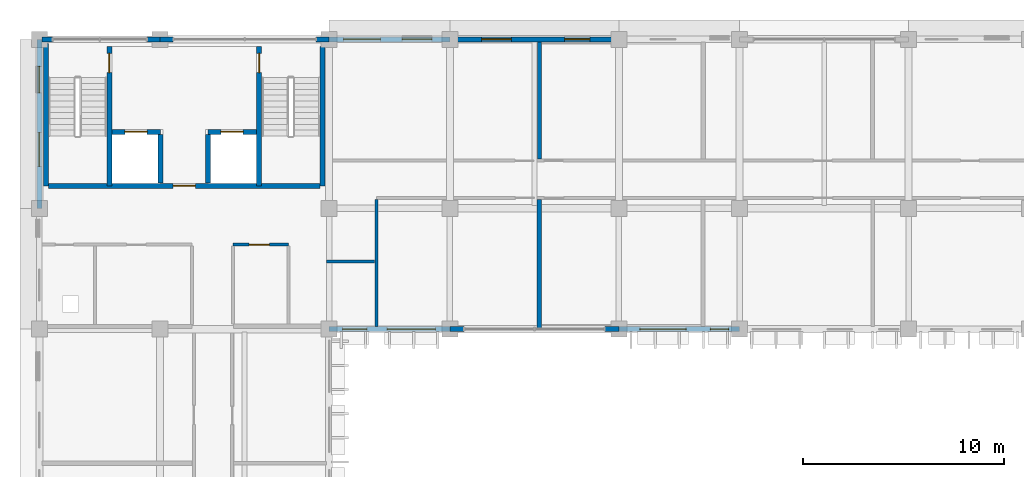
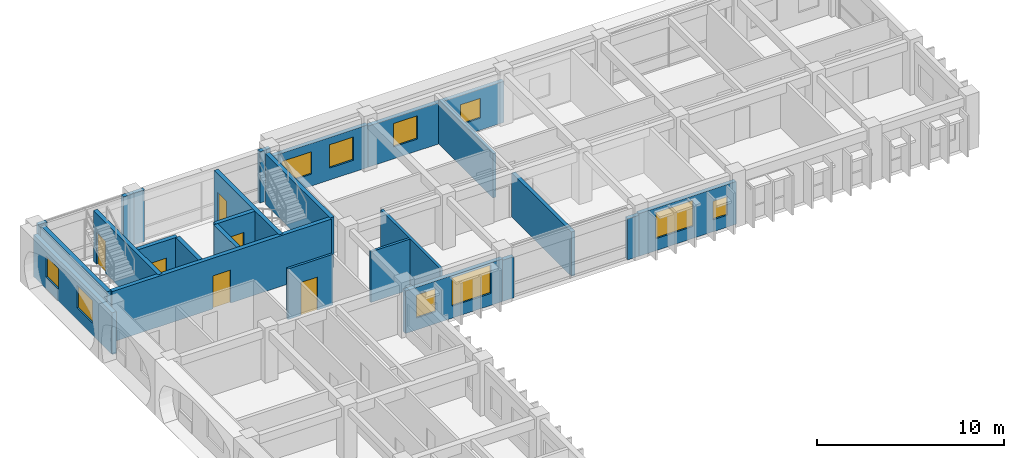
# One storey, part 56 of 88: 25 walls, 10 windows, 6 doors, 16 openings.
"""IFC4 building model written with IfcOpenShell, lengths in metres."""

import ifcopenshell
import ifcopenshell.guid

model = None  # the IFC model being written
_history = None  # IfcOwnerHistory: only IFC2X3 demands one
_inside = {}  # id of a spatial element -> (the spatial element, [elements in it])
_under = {}  # id of a project, library or spatial element -> (it, [spatial elements below it])
_declared = {}  # id of a project -> (the project, [libraries it declares])
_typed = {}  # id of a type object -> (the type object, [elements of that type])
_made_of = {}  # id of a material, layer set ... -> (it, [elements and type objects made of it])


def new_model(schema):
    """Start an empty IFC model of exactly this schema.

    Asked for "IFC4X3", IfcOpenShell would pick the latest addendum, in which some entities
    have other attributes; the version numbers below select the first issue.
    IFC2X3 requires an IfcOwnerHistory on every rooted entity: one is made here for all.
    """
    global model, _history
    if schema == "IFC4X3":
        model = ifcopenshell.file(schema_version=(4, 3, 0, 0))
    else:
        model = ifcopenshell.file(schema=schema)
    _inside.clear()
    _under.clear()
    _declared.clear()
    _typed.clear()
    _made_of.clear()
    _history = None
    if model.schema == "IFC2X3":
        org = make("IfcOrganization", Name="unknown")
        user = make(
            "IfcPersonAndOrganization",
            ThePerson=make("IfcPerson", FamilyName="unknown"),
            TheOrganization=org,
        )
        app = make(
            "IfcApplication",
            ApplicationDeveloper=org,
            Version="unknown",
            ApplicationFullName="unknown",
            ApplicationIdentifier="unknown",
        )
        _history = make(
            "IfcOwnerHistory",
            OwningUser=user,
            OwningApplication=app,
            ChangeAction="ADDED",
            CreationDate=0,
        )
    return model


def make(cls, **values):
    """One entity of the class cls with the attributes given. An attribute that is None is left unset."""
    return model.create_entity(
        cls, **{name: value for name, value in values.items() if value is not None}
    )


def rooted(cls, **values):
    """An entity with a GlobalId (a new one), such as an element, a storey or a relation."""
    return make(cls, GlobalId=ifcopenshell.guid.new(), OwnerHistory=_history, **values)


def si_unit(unit_type, name, prefix=None):
    """IfcSIUnit, for example si_unit("LENGTHUNIT", "METRE", prefix="MILLI")."""
    return make("IfcSIUnit", UnitType=unit_type, Prefix=prefix, Name=name)


def assignment(units):
    """IfcUnitAssignment: the units of a project."""
    return None if units is None else make("IfcUnitAssignment", Units=units)


def point(xyz):
    """IfcCartesianPoint."""
    return None if xyz is None else make("IfcCartesianPoint", Coordinates=xyz)


def direction(xyz):
    """IfcDirection."""
    return None if xyz is None else make("IfcDirection", DirectionRatios=xyz)


def frame(location, z_axis=None, x_axis=None):
    """IfcAxis2Placement3D, a coordinate frame: its origin and axes. An axis left out is left unset."""
    return make(
        "IfcAxis2Placement3D",
        Location=point(location),
        Axis=direction(z_axis),
        RefDirection=direction(x_axis),
    )


def frame_2d(location, x_axis=None):
    """IfcAxis2Placement2D, a coordinate frame in the plane: its origin and x axis."""
    return make(
        "IfcAxis2Placement2D", Location=point(location), RefDirection=direction(x_axis)
    )


def origin():
    """The frame at (0, 0, 0) with its axes left unset."""
    return frame((0.0, 0.0, 0.0))


def place(relative_to, where):
    """IfcLocalPlacement: puts the frame where relative to a parent placement (None: the world)."""
    return make(
        "IfcLocalPlacement", PlacementRelTo=relative_to, RelativePlacement=where
    )


def context(
    kind, dimensions, precision=None, world=None, true_north=None, identifier=None
):
    """IfcGeometricRepresentationContext, for example the 3D "Model" context."""
    return make(
        "IfcGeometricRepresentationContext",
        ContextIdentifier=identifier,
        ContextType=kind,
        CoordinateSpaceDimension=dimensions,
        Precision=precision,
        WorldCoordinateSystem=world,
        TrueNorth=true_north,
    )


def subcontext(parent, identifier, kind, view, scale=None):
    """IfcGeometricRepresentationSubContext, for example "Body" below "Model"."""
    return make(
        "IfcGeometricRepresentationSubContext",
        ContextIdentifier=identifier,
        ContextType=kind,
        ParentContext=parent,
        TargetScale=scale,
        TargetView=view,
    )


def project(units=None, contexts=None):
    """IfcProject with its units and contexts."""
    return rooted(
        "IfcProject",
        Name="project",
        RepresentationContexts=contexts,
        UnitsInContext=assignment(units),
    )


def spatial(cls, under=None, at=None, **own):
    """A site, building, storey or space (cls), placed at a placement, below another one or the project."""
    s = rooted(cls, ObjectPlacement=at, **own)
    if under is not None:
        _under.setdefault(under.id(), (under, []))[1].append(s)
    return s


def profile(cls, at=None, kind="AREA", **sizes):
    """A parametric profile (cls). Its sizes go by their IFC names, for example OverallWidth=200.0."""
    return make(cls, ProfileType=kind, Position=at, **sizes)


def rectangle(**sizes):
    """IfcRectangleProfileDef."""
    return profile("IfcRectangleProfileDef", **sizes)


def extrude(swept, where, along, depth):
    """IfcExtrudedAreaSolid: the profile swept, set in the frame where, extruded along a direction by depth."""
    return make(
        "IfcExtrudedAreaSolid",
        SweptArea=swept,
        Position=where,
        ExtrudedDirection=direction(along),
        Depth=depth,
    )


def shape(context_of_items, identifier, shape_type, items):
    """IfcShapeRepresentation: the items that make up one representation, for example the "Body"."""
    return make(
        "IfcShapeRepresentation",
        ContextOfItems=context_of_items,
        RepresentationIdentifier=identifier,
        RepresentationType=shape_type,
        Items=items,
    )


def material(Name=None, Category=None):
    """IfcMaterial."""
    return make("IfcMaterial", Name=Name, Category=Category)


def layer(
    of_material, thickness, ventilated=None, Name=None, Category=None, Priority=None
):
    """IfcMaterialLayer: one layer of a wall or slab, of a material (None: an air gap)."""
    return make(
        "IfcMaterialLayer",
        Material=of_material,
        LayerThickness=thickness,
        IsVentilated=ventilated,
        Name=Name,
        Category=Category,
        Priority=Priority,
    )


def layer_set(layers, Name=None):
    """IfcMaterialLayerSet."""
    return make("IfcMaterialLayerSet", MaterialLayers=layers, LayerSetName=Name)


def made_of(thing, what):
    """Note that an element or type object is made of a material, layer set ...; save() writes the relation."""
    if what is not None:
        _made_of.setdefault(what.id(), (what, []))[1].append(thing)
    return thing


def type_object(cls, material=None, **own):
    """A type object (cls), such as IfcWallType, which elements share."""
    return made_of(rooted(cls, **own), material)


def element(
    cls,
    number,
    at=None,
    inside=None,
    cuts=None,
    type_object=None,
    material=None,
    context=None,
    identifier="Body",
    shape_type=None,
    held_by="IfcProductDefinitionShape",
    body=None,
    shapes=None,
    **own,
):
    """One element of the class cls, such as IfcWall. Its Tag is "e" and its number.

    at: its placement. inside: the storey or other place that contains it. cuts: it is an
    opening in that element (IfcRelVoidsElement). A single representation is given by context,
    identifier, shape_type and body (its items); several are given by shapes. held_by: the class
    of the entity that holds the representations. save() writes the other relations.
    """
    e = rooted(cls, Tag="e%d" % number, ObjectPlacement=at, **own)
    if body is not None:
        shapes = [shape(context, identifier, shape_type, body)]
    if shapes is not None:
        e.Representation = make(held_by, Representations=shapes)
    if inside is not None:
        _inside.setdefault(inside.id(), (inside, []))[1].append(e)
    if cuts is not None:
        rooted(
            "IfcRelVoidsElement", RelatingBuildingElement=cuts, RelatedOpeningElement=e
        )
    if type_object is not None:
        _typed.setdefault(type_object.id(), (type_object, []))[1].append(e)
    return made_of(e, material)


def fill(opening, filler):
    """IfcRelFillsElement: the door or window that sits in an opening."""
    return rooted(
        "IfcRelFillsElement",
        RelatingOpeningElement=opening,
        RelatedBuildingElement=filler,
    )


def aggregate(whole, parts):
    """IfcRelAggregates: a whole, such as a stair, and the parts it consists of."""
    return rooted("IfcRelAggregates", RelatingObject=whole, RelatedObjects=parts)


def save(model, path):
    """Write the relations noted so far, then the file.

    IfcRelAggregates (storeys below a building ...), IfcRelContainedInSpatialStructure (elements
    in a storey), IfcRelDefinesByType, IfcRelAssociatesMaterial and IfcRelDeclares: one each for
    every whole, place, type object, material and project.
    """
    for whole, parts in _under.values():
        aggregate(whole, parts)
    for where, things in _inside.values():
        rooted(
            "IfcRelContainedInSpatialStructure",
            RelatedElements=things,
            RelatingStructure=where,
        )
    for kind, things in _typed.values():
        rooted("IfcRelDefinesByType", RelatedObjects=things, RelatingType=kind)
    for what, things in _made_of.values():
        rooted("IfcRelAssociatesMaterial", RelatedObjects=things, RelatingMaterial=what)
    for by, libraries in _declared.values():
        rooted("IfcRelDeclares", RelatingContext=by, RelatedDefinitions=libraries)
    model.write(path)


model = new_model("IFC4")

# Units and contexts
model_context = context("Model", 3, precision=1e-05, world=origin(), true_north=direction((0.0, 1.0)))
body_context = subcontext(model_context, "Body", "Model", "MODEL_VIEW")
ifc_project = project(units=[si_unit("LENGTHUNIT", "METRE"), si_unit("AREAUNIT", "SQUARE_METRE"), si_unit("VOLUMEUNIT", "CUBIC_METRE"), si_unit("PLANEANGLEUNIT", "RADIAN"), si_unit("MASSUNIT", "GRAM", prefix="KILO"), si_unit("THERMODYNAMICTEMPERATUREUNIT", "KELVIN")], contexts=[model_context])

# Site, building, storey
site_placement = place(None, origin())
site = spatial("IfcSite", under=ifc_project, at=site_placement, CompositionType="ELEMENT")
building_placement = place(site_placement, origin())
building = spatial("IfcBuilding", under=site, at=building_placement, Name="Thalorik Housing Commons", CompositionType="ELEMENT")
storey_placement = place(building_placement, frame((0.0, 0.0, 4.5)))
storey = spatial("IfcBuildingStorey", under=building, at=storey_placement, Name="L01", CompositionType="ELEMENT", Elevation=4.5)

# Wall, opening, door
ifc_material_1 = material(Name="Concrete C40/50", Category="concrete")
ifc_layer_1 = layer(ifc_material_1, 0.25, Name="Concrete C40/50", Category="concrete")
ifc_layer_set_1 = layer_set([ifc_layer_1], Name="Concrete C40/50")
wall_type_1 = type_object("IfcWallType", Name="ARC-WAL-CORE-250", PredefinedType="SHEAR", material=ifc_layer_set_1)
wall_1_placement = place(storey_placement, frame((11.875, 123.25, 0.0), z_axis=(0.0, 0.0, 1.0), x_axis=(0.0, -1.0, 0.0)))
wall_1 = element("IfcWall", 1, at=wall_1_placement, inside=storey, type_object=wall_type_1, Name="L01 Core A Stair 1 Shear Wall", PredefinedType="SHEAR", context=body_context, shape_type="SweptSolid", body=[
    extrude(rectangle(XDim=6.925048828125, YDim=0.25, at=frame_2d((3.46240234375, 0.0))), origin(), (0.0, 0.0, 1.0), 3.300048828125),
])
opening_1_placement = place(wall_1_placement, frame((0.35009765625, 0.0, 0.0)))
opening_1 = element("IfcOpeningElement", 2, at=opening_1_placement, cuts=wall_1, Name="Opening ID-0017", PredefinedType="OPENING", context=body_context, shape_type="SweptSolid", body=[
    extrude(rectangle(XDim=0.949951171875, YDim=2.10009765625, at=frame_2d((0.47509765625, 1.050048828125))), frame((0.0, 0.135009765625, 0.0), z_axis=(0.0, -1.0, 0.0), x_axis=(1.0, 0.0, 0.0)), (0.0, 0.0, 1.0), 0.27001953125),
])
ifc_material_2 = material(Name="Steel S355", Category="steel")
door_type_1 = type_object("IfcDoorType", Name="ARC-DR-FD60-950", OperationType="NOTDEFINED", PredefinedType="DOOR", material=ifc_material_2)
door_1_placement = place(opening_1_placement, origin())
door_1 = element("IfcDoor", 3, at=door_1_placement, inside=storey, type_object=door_type_1, Name="L01 Stair ST-A1 Fire Door", OperationType="SINGLE_SWING_RIGHT", OverallHeight=2.10009765625, OverallWidth=0.949951171875, PredefinedType="DOOR", context=body_context, shape_type="SweptSolid", body=[
    extrude(rectangle(XDim=0.949951171875, YDim=2.10009765625, at=frame_2d((0.47509765625, 1.050048828125))), frame((0.0, 0.02490234375, 0.0), z_axis=(0.0, -1.0, 0.0), x_axis=(1.0, 0.0, 0.0)), (0.0, 0.0, 1.0), 0.050048828125),
])
fill(opening_1, door_1)

# Walls
wall_2_placement = place(storey_placement, frame((8.72509765625, 123.39990234375, 0.0), z_axis=(0.0, 0.0, 1.0), x_axis=(0.0, -1.0, 0.0)))
element("IfcWall", 4, at=wall_2_placement, inside=storey, type_object=wall_type_1, Name="L01 Core A Stair 1 Outer Shear Wall", PredefinedType="SHEAR", context=body_context, shape_type="SweptSolid", body=[
    extrude(rectangle(XDim=7.074951171875, YDim=0.25, at=frame_2d((3.53759765625, 0.0))), origin(), (0.0, 0.0, 1.0), 3.300048828125),
])
wall_3_placement = place(storey_placement, frame((22.47509765625, 123.25, 0.0), z_axis=(0.0, 0.0, 1.0), x_axis=(0.0, -1.0, 0.0)))
element("IfcWall", 5, at=wall_3_placement, inside=storey, type_object=wall_type_1, Name="L01 Core A Stair 2 Outer Shear Wall", PredefinedType="SHEAR", context=body_context, shape_type="SweptSolid", body=[
    extrude(rectangle(XDim=6.925048828125, YDim=0.25, at=frame_2d((3.46240234375, 0.0))), origin(), (0.0, 0.0, 1.0), 3.300048828125),
])

# Wall, opening, door
wall_4_placement = place(storey_placement, frame((19.324951171875, 123.25, 0.0), z_axis=(0.0, 0.0, 1.0), x_axis=(0.0, -1.0, 0.0)))
wall_4 = element("IfcWall", 6, at=wall_4_placement, inside=storey, type_object=wall_type_1, Name="L01 Core A Stair 2 Shear Wall", PredefinedType="SHEAR", context=body_context, shape_type="SweptSolid", body=[
    extrude(rectangle(XDim=6.925048828125, YDim=0.25, at=frame_2d((3.46240234375, 0.0))), origin(), (0.0, 0.0, 1.0), 3.300048828125),
])
opening_2_placement = place(wall_4_placement, frame((0.35009765625, 0.0, 0.0)))
opening_2 = element("IfcOpeningElement", 7, at=opening_2_placement, cuts=wall_4, Name="Opening ID-0018", PredefinedType="OPENING", context=body_context, shape_type="SweptSolid", body=[
    extrude(rectangle(XDim=0.949951171875, YDim=2.10009765625, at=frame_2d((0.47509765625, 1.050048828125))), frame((0.0, 0.135009765625, 0.0), z_axis=(0.0, -1.0, 0.0), x_axis=(1.0, 0.0, 0.0)), (0.0, 0.0, 1.0), 0.27001953125),
])
door_2_placement = place(opening_2_placement, origin())
door_2 = element("IfcDoor", 8, at=door_2_placement, inside=storey, type_object=door_type_1, Name="L01 Stair ST-A2 Fire Door", OperationType="SINGLE_SWING_LEFT", OverallHeight=2.10009765625, OverallWidth=0.949951171875, PredefinedType="DOOR", context=body_context, shape_type="SweptSolid", body=[
    extrude(rectangle(XDim=0.949951171875, YDim=2.10009765625, at=frame_2d((0.47509765625, 1.050048828125))), frame((0.0, 0.02490234375, 0.0), z_axis=(0.0, -1.0, 0.0), x_axis=(1.0, 0.0, 0.0)), (0.0, 0.0, 1.0), 0.050048828125),
])
fill(opening_2, door_2)

wall_5_placement = place(storey_placement, frame((12.0, 119.0, 0.0), z_axis=(0.0, 0.0, 1.0), x_axis=(1.0, 0.0, 0.0)))
wall_5 = element("IfcWall", 9, at=wall_5_placement, inside=storey, type_object=wall_type_1, Name="L01 Lift LF-A1 Front Shaft Wall", PredefinedType="SHEAR", context=body_context, shape_type="SweptSolid", body=[
    extrude(rectangle(XDim=2.425048828125, YDim=0.25, at=frame_2d((1.21240234375, 0.0))), origin(), (0.0, 0.0, 1.0), 3.300048828125),
])
opening_3_placement = place(wall_5_placement, frame((0.64990234375, 0.0, 0.0)))
opening_3 = element("IfcOpeningElement", 10, at=opening_3_placement, cuts=wall_5, Name="Opening LD-LF-A1-L01", PredefinedType="OPENING", context=body_context, shape_type="SweptSolid", body=[
    extrude(rectangle(XDim=1.10009765625, YDim=2.14990234375, at=frame_2d((0.550048828125, 1.074951171875))), frame((0.0, 0.135009765625, 0.0), z_axis=(0.0, -1.0, 0.0), x_axis=(1.0, 0.0, 0.0)), (0.0, 0.0, 1.0), 0.27001953125),
])
door_type_2 = type_object("IfcDoorType", Name="ARC-DR-LIFT-1100", OperationType="NOTDEFINED", PredefinedType="DOOR", material=ifc_material_2)
door_3_placement = place(opening_3_placement, origin())
door_3 = element("IfcDoor", 11, at=door_3_placement, inside=storey, type_object=door_type_2, Name="L01 Lift LF-A1 Landing Door", OperationType="SLIDING_TO_LEFT", OverallHeight=2.14990234375, OverallWidth=1.10009765625, PredefinedType="DOOR", context=body_context, shape_type="SweptSolid", body=[
    extrude(rectangle(XDim=1.10009765625, YDim=2.14990234375, at=frame_2d((0.550048828125, 1.074951171875))), frame((0.0, 0.02490234375, 0.0), z_axis=(0.0, -1.0, 0.0), x_axis=(1.0, 0.0, 0.0)), (0.0, 0.0, 1.0), 0.050048828125),
])
fill(opening_3, door_3)

wall_6_placement = place(storey_placement, frame((16.77490234375, 119.0, 0.0), z_axis=(0.0, 0.0, 1.0), x_axis=(1.0, 0.0, 0.0)))
wall_6 = element("IfcWall", 12, at=wall_6_placement, inside=storey, type_object=wall_type_1, Name="L01 Lift LP-A2 Front Shaft Wall", PredefinedType="SHEAR", context=body_context, shape_type="SweptSolid", body=[
    extrude(rectangle(XDim=2.425048828125, YDim=0.25, at=frame_2d((1.21240234375, 0.0))), origin(), (0.0, 0.0, 1.0), 3.300048828125),
])
opening_4_placement = place(wall_6_placement, frame((0.64990234375, 0.0, 0.0)))
opening_4 = element("IfcOpeningElement", 13, at=opening_4_placement, cuts=wall_6, Name="Opening LD-LP-A2-L01", PredefinedType="OPENING", context=body_context, shape_type="SweptSolid", body=[
    extrude(rectangle(XDim=1.10009765625, YDim=2.14990234375, at=frame_2d((0.550048828125, 1.074951171875))), frame((0.0, 0.135009765625, 0.0), z_axis=(0.0, -1.0, 0.0), x_axis=(1.0, 0.0, 0.0)), (0.0, 0.0, 1.0), 0.27001953125),
])
door_4_placement = place(opening_4_placement, origin())
door_4 = element("IfcDoor", 14, at=door_4_placement, inside=storey, type_object=door_type_2, Name="L01 Lift LP-A2 Landing Door", OperationType="SLIDING_TO_LEFT", OverallHeight=2.14990234375, OverallWidth=1.10009765625, PredefinedType="DOOR", context=body_context, shape_type="SweptSolid", body=[
    extrude(rectangle(XDim=1.10009765625, YDim=2.14990234375, at=frame_2d((0.550048828125, 1.074951171875))), frame((0.0, 0.02490234375, 0.0), z_axis=(0.0, -1.0, 0.0), x_axis=(1.0, 0.0, 0.0)), (0.0, 0.0, 1.0), 0.050048828125),
])
fill(opening_4, door_4)

# Walls
for number, where, z_axis, x_axis, name in (
    (15, (14.425048828125, 118.875, 0.0), (0.0, 0.0, 1.0), (0.0, -1.0, 0.0), "L01 Lift 1 Cheek Wall"),
    (16, (16.77490234375, 118.875, 0.0), (0.0, 0.0, 1.0), (0.0, -1.0, 0.0), "L01 Lift 2 Cheek Wall"),
):
    element("IfcWall", number, at=place(storey_placement, frame(where, z_axis=z_axis, x_axis=x_axis)), inside=storey, type_object=wall_type_1, Name=name, PredefinedType="SHEAR", context=body_context, shape_type="SweptSolid", body=[
        extrude(rectangle(XDim=2.425048828125, YDim=0.25, at=frame_2d((1.21240234375, 0.0))), origin(), (0.0, 0.0, 1.0), 3.300048828125),
    ])

# Wall, opening, door
wall_7_placement = place(storey_placement, frame((8.85009765625, 116.324951171875, 0.0), z_axis=(0.0, 0.0, 1.0), x_axis=(1.0, 0.0, 0.0)))
wall_7 = element("IfcWall", 17, at=wall_7_placement, inside=storey, type_object=wall_type_1, Name="L01 Core A Spine Shear Wall", PredefinedType="SHEAR", context=body_context, shape_type="SweptSolid", body=[
    extrude(rectangle(XDim=13.5, YDim=0.25, at=frame_2d((6.75, 0.0))), origin(), (0.0, 0.0, 1.0), 3.300048828125),
])
opening_5_placement = place(wall_7_placement, frame((6.199951171875, 0.0, 0.0)))
opening_5 = element("IfcOpeningElement", 18, at=opening_5_placement, cuts=wall_7, Name="Opening ID-0021", PredefinedType="OPENING", context=body_context, shape_type="SweptSolid", body=[
    extrude(rectangle(XDim=1.10009765625, YDim=2.14990234375, at=frame_2d((0.550048828125, 1.074951171875))), frame((0.0, 0.135009765625, 0.0), z_axis=(0.0, -1.0, 0.0), x_axis=(1.0, 0.0, 0.0)), (0.0, 0.0, 1.0), 0.27001953125),
])
door_type_3 = type_object("IfcDoorType", Name="ARC-DR-FD60-1100", OperationType="NOTDEFINED", PredefinedType="DOOR", material=ifc_material_2)
door_5_placement = place(opening_5_placement, origin())
door_5 = element("IfcDoor", 19, at=door_5_placement, inside=storey, type_object=door_type_3, Name="L01 Core A Lobby Fire Door", OperationType="SINGLE_SWING_RIGHT", OverallHeight=2.14990234375, OverallWidth=1.10009765625, PredefinedType="DOOR", context=body_context, shape_type="SweptSolid", body=[
    extrude(rectangle(XDim=1.10009765625, YDim=2.14990234375, at=frame_2d((0.550048828125, 1.074951171875))), frame((0.0, 0.02490234375, 0.0), z_axis=(0.0, -1.0, 0.0), x_axis=(1.0, 0.0, 0.0)), (0.0, 0.0, 1.0), 0.050048828125),
])
fill(opening_5, door_5)

# Walls
ifc_material_3 = material(Name="Masonry fire-rated corridor wall", Category="masonry")
ifc_layer_2 = layer(ifc_material_3, 0.14990234375, Name="Masonry fire-rated corridor wall", Category="masonry")
ifc_layer_set_2 = layer_set([ifc_layer_2], Name="Masonry fire-rated corridor wall")
wall_type_2 = type_object("IfcWallType", Name="ARC-WAL-CORR-150", PredefinedType="PARTITIONING", material=ifc_layer_set_2)
wall_8_placement = place(storey_placement, frame((22.659912109375, 112.570068359375, 0.0), z_axis=(0.0, 0.0, 1.0), x_axis=(1.0, 0.0, 0.0)))
element("IfcWall", 20, at=wall_8_placement, inside=storey, type_object=wall_type_2, Name="L01 Block A Vestibule South Wall", PredefinedType="PARTITIONING", context=body_context, shape_type="SweptSolid", body=[
    extrude(rectangle(XDim=2.405517578125, YDim=0.14990234375, at=frame_2d((1.20263671875, 0.0))), origin(), (0.0, 0.0, 1.0), 3.300048828125),
])
ifc_layer_3 = layer(ifc_material_3, 0.1650390625, Name="Masonry fire-rated corridor wall", Category="masonry")
ifc_layer_set_3 = layer_set([ifc_layer_3], Name="Masonry fire-rated corridor wall")
wall_type_3 = type_object("IfcWallType", Name="ARC-WAL-CORR-165", PredefinedType="PARTITIONING", material=ifc_layer_set_3)
wall_9_placement = place(storey_placement, frame((25.14990234375, 109.32958984375, 0.0), z_axis=(0.0, 0.0, 1.0), x_axis=(0.0, 1.0, 0.0)))
element("IfcWall", 21, at=wall_9_placement, inside=storey, type_object=wall_type_3, Name="L01 Block A Vestibule Cheek Wall", PredefinedType="PARTITIONING", context=body_context, shape_type="SweptSolid", body=[
    extrude(rectangle(XDim=6.305908203125, YDim=0.1650390625, at=frame_2d((3.15283203125, 0.0))), origin(), (0.0, 0.0, 1.0), 3.300048828125),
])

# Wall, openings, windows
ifc_material_4 = material(Name="White precast concrete C40/50", Category="concrete")
ifc_layer_4 = layer(ifc_material_4, 0.2548828125, Name="White precast concrete C40/50", Category="concrete")
ifc_layer_set_4 = layer_set([ifc_layer_4], Name="White precast concrete C40/50")
wall_type_4 = type_object("IfcWallType", Name="ARC-WAL-EXT-255", PredefinedType="STANDARD", material=ifc_layer_set_4)
wall_10_placement = place(storey_placement, frame((22.800048828125, 109.199951171875, 0.0), z_axis=(0.0, 0.0, 1.0), x_axis=(1.0, 0.0, 0.0)))
wall_10 = element("IfcWall", 22, at=wall_10_placement, inside=storey, type_object=wall_type_4, Name="L01 Exterior Wall WAL-EXT-L01-A-0029", PredefinedType="STANDARD", context=body_context, shape_type="SweptSolid", body=[
    extrude(rectangle(XDim=6.0, YDim=0.2548828125, at=frame_2d((3.0, 0.0))), origin(), (0.0, 0.0, 1.0), 2.77490234375),
])
opening_6_placement = place(wall_10_placement, frame((0.669921875, 0.0, 0.780029296875)))
opening_6 = element("IfcOpeningElement", 23, at=opening_6_placement, cuts=wall_10, Name="Opening W-05", PredefinedType="OPENING", context=body_context, shape_type="SweptSolid", body=[
    extrude(rectangle(XDim=1.199951171875, YDim=1.5, at=frame_2d((0.60009765625, 0.75))), frame((0.0, 0.137451171875, 0.0), z_axis=(0.0, -1.0, 0.0), x_axis=(1.0, 0.0, 0.0)), (0.0, 0.0, 1.0), 0.27490234375),
])
opening_7_placement = place(wall_10_placement, frame((2.8798828125, 0.0, 0.780029296875)))
opening_7 = element("IfcOpeningElement", 24, at=opening_7_placement, cuts=wall_10, Name="Opening W-35", PredefinedType="OPENING", context=body_context, shape_type="SweptSolid", body=[
    extrude(rectangle(XDim=2.39990234375, YDim=1.85009765625, at=frame_2d((1.199951171875, 0.925048828125))), frame((0.0, 0.137451171875, 0.0), z_axis=(0.0, -1.0, 0.0), x_axis=(1.0, 0.0, 0.0)), (0.0, 0.0, 1.0), 0.27490234375),
])
ifc_material_5 = material(Name="Anodised aluminium and solar-control low-E glass", Category="aluminium")
window_type_1 = type_object("IfcWindowType", Name="ARC-WIN-05", PartitioningType="SINGLE_PANEL", PredefinedType="WINDOW", material=ifc_material_5)
window_1_placement = place(opening_6_placement, origin())
window_1 = element("IfcWindow", 25, at=window_1_placement, inside=storey, type_object=window_type_1, Name="L01 Facade Window 50", OverallHeight=1.5, OverallWidth=1.199951171875, PartitioningType="SINGLE_PANEL", PredefinedType="WINDOW", context=body_context, shape_type="SweptSolid", body=[
    extrude(rectangle(XDim=1.199951171875, YDim=1.5, at=frame_2d((0.60009765625, 0.75))), frame((0.0, 0.030029296875, 0.0), z_axis=(0.0, -1.0, 0.0), x_axis=(1.0, 0.0, 0.0)), (0.0, 0.0, 1.0), 0.06005859375),
])
fill(opening_6, window_1)
window_type_2 = type_object("IfcWindowType", Name="ARC-WIN-35", PartitioningType="DOUBLE_PANEL_VERTICAL", PredefinedType="WINDOW", material=ifc_material_5)
window_2_placement = place(opening_7_placement, origin())
window_2 = element("IfcWindow", 26, at=window_2_placement, inside=storey, type_object=window_type_2, Name="L01 Facade Window 51", OverallHeight=1.85009765625, OverallWidth=2.39990234375, PartitioningType="DOUBLE_PANEL_VERTICAL", PredefinedType="WINDOW", context=body_context, shape_type="SweptSolid", body=[
    extrude(rectangle(XDim=2.39990234375, YDim=1.85009765625, at=frame_2d((1.199951171875, 0.925048828125))), frame((0.0, 0.030029296875, 0.0), z_axis=(0.0, -1.0, 0.0), x_axis=(1.0, 0.0, 0.0)), (0.0, 0.0, 1.0), 0.06005859375),
])
fill(opening_7, window_2)

# Walls
for number, where, z_axis, x_axis, name in (
    (27, (28.800048828125, 109.199951171875, 0.0), (0.0, 0.0, 1.0), (1.0, 0.0, 0.0), "L01 Exterior Wall WAL-PIERL-L01-A-0030"),
    (28, (36.5, 109.199951171875, 0.0), (0.0, 0.0, 1.0), (1.0, 0.0, 0.0), "L01 Exterior Wall WAL-PIERR-L01-A-0030"),
):
    element("IfcWall", number, at=place(storey_placement, frame(where, z_axis=z_axis, x_axis=x_axis)), inside=storey, type_object=wall_type_4, Name=name, PredefinedType="STANDARD", context=body_context, shape_type="SweptSolid", body=[
        extrude(rectangle(XDim=0.699951171875, YDim=0.2548828125, at=frame_2d((0.35009765625, 0.0))), origin(), (0.0, 0.0, 1.0), 2.675048828125),
    ])

# Wall, openings, windows
wall_11_placement = place(storey_placement, frame((37.199951171875, 109.199951171875, 0.0), z_axis=(0.0, 0.0, 1.0), x_axis=(1.0, 0.0, 0.0)))
wall_11 = element("IfcWall", 29, at=wall_11_placement, inside=storey, type_object=wall_type_4, Name="L01 Exterior Wall WAL-EXT-L01-A-0031", PredefinedType="STANDARD", context=body_context, shape_type="SweptSolid", body=[
    extrude(rectangle(XDim=6.0, YDim=0.2548828125, at=frame_2d((3.0, 0.0))), origin(), (0.0, 0.0, 1.0), 2.77490234375),
])
opening_8_placement = place(wall_11_placement, frame((1.0400390625, 0.0, 0.780029296875)))
opening_8 = element("IfcOpeningElement", 30, at=opening_8_placement, cuts=wall_11, Name="Opening W-32", PredefinedType="OPENING", context=body_context, shape_type="SweptSolid", body=[
    extrude(rectangle(XDim=2.300048828125, YDim=1.699951171875, at=frame_2d((1.14990234375, 0.85009765625))), frame((0.0, 0.137451171875, 0.0), z_axis=(0.0, -1.0, 0.0), x_axis=(1.0, 0.0, 0.0)), (0.0, 0.0, 1.0), 0.27490234375),
])
opening_9_placement = place(wall_11_placement, frame((4.550048828125, 0.0, 0.780029296875)))
opening_9 = element("IfcOpeningElement", 31, at=opening_9_placement, cuts=wall_11, Name="Opening W-01", PredefinedType="OPENING", context=body_context, shape_type="SweptSolid", body=[
    extrude(rectangle(XDim=0.89990234375, YDim=1.199951171875, at=frame_2d((0.449951171875, 0.60009765625))), frame((0.0, 0.137451171875, 0.0), z_axis=(0.0, -1.0, 0.0), x_axis=(1.0, 0.0, 0.0)), (0.0, 0.0, 1.0), 0.27490234375),
])
window_type_3 = type_object("IfcWindowType", Name="ARC-WIN-01", PartitioningType="SINGLE_PANEL", PredefinedType="WINDOW", material=ifc_material_5)
window_3_placement = place(opening_9_placement, origin())
window_3 = element("IfcWindow", 32, at=window_3_placement, inside=storey, type_object=window_type_3, Name="L01 Facade Window 53", OverallHeight=1.199951171875, OverallWidth=0.89990234375, PartitioningType="SINGLE_PANEL", PredefinedType="WINDOW", context=body_context, shape_type="SweptSolid", body=[
    extrude(rectangle(XDim=0.89990234375, YDim=1.199951171875, at=frame_2d((0.449951171875, 0.60009765625))), frame((0.0, 0.030029296875, 0.0), z_axis=(0.0, -1.0, 0.0), x_axis=(1.0, 0.0, 0.0)), (0.0, 0.0, 1.0), 0.06005859375),
])
fill(opening_9, window_3)
window_type_4 = type_object("IfcWindowType", Name="ARC-WIN-32", PartitioningType="DOUBLE_PANEL_VERTICAL", PredefinedType="WINDOW", material=ifc_material_5)
window_4_placement = place(opening_8_placement, origin())
window_4 = element("IfcWindow", 33, at=window_4_placement, inside=storey, type_object=window_type_4, Name="L01 Facade Window 52", OverallHeight=1.699951171875, OverallWidth=2.300048828125, PartitioningType="DOUBLE_PANEL_VERTICAL", PredefinedType="WINDOW", context=body_context, shape_type="SweptSolid", body=[
    extrude(rectangle(XDim=2.300048828125, YDim=1.699951171875, at=frame_2d((1.14990234375, 0.85009765625))), frame((0.0, 0.030029296875, 0.0), z_axis=(0.0, -1.0, 0.0), x_axis=(1.0, 0.0, 0.0)), (0.0, 0.0, 1.0), 0.06005859375),
])
fill(opening_8, window_4)

wall_12_placement = place(storey_placement, frame((37.199951171875, 123.60009765625, 0.0), z_axis=(0.0, 0.0, 1.0), x_axis=(-1.0, 0.0, 0.0)))
wall_12 = element("IfcWall", 34, at=wall_12_placement, inside=storey, type_object=wall_type_4, Name="L01 Exterior Wall WAL-EXT-L01-A-0039", PredefinedType="STANDARD", context=body_context, shape_type="SweptSolid", body=[
    extrude(rectangle(XDim=8.39990234375, YDim=0.2548828125, at=frame_2d((4.199951171875, 0.0))), origin(), (0.0, 0.0, 1.0), 2.675048828125),
])
opening_10_placement = place(wall_12_placement, frame((1.445068359375, 0.0, 0.780029296875)))
opening_10 = element("IfcOpeningElement", 35, at=opening_10_placement, cuts=wall_12, Name="Opening W-46", PredefinedType="OPENING", context=body_context, shape_type="SweptSolid", body=[
    extrude(rectangle(XDim=1.25, YDim=1.300048828125, at=frame_2d((0.625, 0.64990234375))), frame((0.0, 0.137451171875, 0.0), z_axis=(0.0, -1.0, 0.0), x_axis=(1.0, 0.0, 0.0)), (0.0, 0.0, 1.0), 0.27490234375),
])
opening_11_placement = place(wall_12_placement, frame((5.340087890625, 0.0, 0.780029296875)))
opening_11 = element("IfcOpeningElement", 36, at=opening_11_placement, cuts=wall_12, Name="Opening W-51", PredefinedType="OPENING", context=body_context, shape_type="SweptSolid", body=[
    extrude(rectangle(XDim=1.47998046875, YDim=1.52001953125, at=frame_2d((0.739990234375, 0.760009765625))), frame((0.0, 0.137451171875, 0.0), z_axis=(0.0, -1.0, 0.0), x_axis=(1.0, 0.0, 0.0)), (0.0, 0.0, 1.0), 0.27490234375),
])
window_type_5 = type_object("IfcWindowType", Name="ARC-WIN-46", PartitioningType="SINGLE_PANEL", PredefinedType="WINDOW", material=ifc_material_5)
window_5_placement = place(opening_10_placement, origin())
window_5 = element("IfcWindow", 37, at=window_5_placement, inside=storey, type_object=window_type_5, Name="L01 Facade Window 65", OverallHeight=1.300048828125, OverallWidth=1.25, PartitioningType="SINGLE_PANEL", PredefinedType="WINDOW", context=body_context, shape_type="SweptSolid", body=[
    extrude(rectangle(XDim=1.25, YDim=1.300048828125, at=frame_2d((0.625, 0.64990234375))), frame((0.0, 0.030029296875, 0.0), z_axis=(0.0, -1.0, 0.0), x_axis=(1.0, 0.0, 0.0)), (0.0, 0.0, 1.0), 0.06005859375),
])
fill(opening_10, window_5)
window_type_6 = type_object("IfcWindowType", Name="ARC-WIN-51", PartitioningType="SINGLE_PANEL", PredefinedType="WINDOW", material=ifc_material_5)
window_6_placement = place(opening_11_placement, origin())
window_6 = element("IfcWindow", 38, at=window_6_placement, inside=storey, type_object=window_type_6, Name="L01 Facade Window 66", OverallHeight=1.52001953125, OverallWidth=1.47998046875, PartitioningType="SINGLE_PANEL", PredefinedType="WINDOW", context=body_context, shape_type="SweptSolid", body=[
    extrude(rectangle(XDim=1.47998046875, YDim=1.52001953125, at=frame_2d((0.739990234375, 0.760009765625))), frame((0.0, 0.030029296875, 0.0), z_axis=(0.0, -1.0, 0.0), x_axis=(1.0, 0.0, 0.0)), (0.0, 0.0, 1.0), 0.06005859375),
])
fill(opening_11, window_6)

wall_13_placement = place(storey_placement, frame((28.800048828125, 123.60009765625, 0.0), z_axis=(0.0, 0.0, 1.0), x_axis=(-1.0, 0.0, 0.0)))
wall_13 = element("IfcWall", 39, at=wall_13_placement, inside=storey, type_object=wall_type_4, Name="L01 Exterior Wall WAL-EXT-L01-A-0040", PredefinedType="STANDARD", context=body_context, shape_type="SweptSolid", body=[
    extrude(rectangle(XDim=6.0, YDim=0.2548828125, at=frame_2d((3.0, 0.0))), origin(), (0.0, 0.0, 1.0), 2.77490234375),
])
opening_12_placement = place(wall_13_placement, frame((0.889892578125, 0.0, 0.780029296875)))
opening_12 = element("IfcOpeningElement", 40, at=opening_12_placement, cuts=wall_13, Name="Opening W-51", PredefinedType="OPENING", context=body_context, shape_type="SweptSolid", body=[
    extrude(rectangle(XDim=1.47998046875, YDim=1.52001953125, at=frame_2d((0.739990234375, 0.760009765625))), frame((0.0, 0.137451171875, 0.0), z_axis=(0.0, -1.0, 0.0), x_axis=(1.0, 0.0, 0.0)), (0.0, 0.0, 1.0), 0.27490234375),
])
opening_13_placement = place(wall_13_placement, frame((3.4599609375, 0.0, 0.780029296875)))
opening_13 = element("IfcOpeningElement", 41, at=opening_13_placement, cuts=wall_13, Name="Opening W-58", PredefinedType="OPENING", context=body_context, shape_type="SweptSolid", body=[
    extrude(rectangle(XDim=1.820068359375, YDim=1.4599609375, at=frame_2d((0.91015625, 0.72998046875))), frame((0.0, 0.137451171875, 0.0), z_axis=(0.0, -1.0, 0.0), x_axis=(1.0, 0.0, 0.0)), (0.0, 0.0, 1.0), 0.27490234375),
])
window_7_placement = place(opening_12_placement, origin())
window_7 = element("IfcWindow", 42, at=window_7_placement, inside=storey, type_object=window_type_6, Name="L01 Facade Window 67", OverallHeight=1.52001953125, OverallWidth=1.47998046875, PartitioningType="SINGLE_PANEL", PredefinedType="WINDOW", context=body_context, shape_type="SweptSolid", body=[
    extrude(rectangle(XDim=1.47998046875, YDim=1.52001953125, at=frame_2d((0.739990234375, 0.760009765625))), frame((0.0, 0.030029296875, 0.0), z_axis=(0.0, -1.0, 0.0), x_axis=(1.0, 0.0, 0.0)), (0.0, 0.0, 1.0), 0.06005859375),
])
fill(opening_12, window_7)
window_type_7 = type_object("IfcWindowType", Name="ARC-WIN-58", PartitioningType="DOUBLE_PANEL_VERTICAL", PredefinedType="WINDOW", material=ifc_material_5)
window_8_placement = place(opening_13_placement, origin())
window_8 = element("IfcWindow", 43, at=window_8_placement, inside=storey, type_object=window_type_7, Name="L01 Facade Window 68", OverallHeight=1.4599609375, OverallWidth=1.820068359375, PartitioningType="DOUBLE_PANEL_VERTICAL", PredefinedType="WINDOW", context=body_context, shape_type="SweptSolid", body=[
    extrude(rectangle(XDim=1.820068359375, YDim=1.4599609375, at=frame_2d((0.91015625, 0.72998046875))), frame((0.0, 0.030029296875, 0.0), z_axis=(0.0, -1.0, 0.0), x_axis=(1.0, 0.0, 0.0)), (0.0, 0.0, 1.0), 0.06005859375),
])
fill(opening_13, window_8)

# Walls
for number, where, z_axis, x_axis, name in (
    (44, (22.800048828125, 123.60009765625, 0.0), (0.0, 0.0, 1.0), (-1.0, 0.0, 0.0), "L01 Exterior Wall WAL-PIERL-L01-A-0041"),
    (45, (15.050048828125, 123.60009765625, 0.0), (0.0, 0.0, 1.0), (-1.0, 0.0, 0.0), "L01 Exterior Wall WAL-PIERR-L01-A-0041"),
):
    element("IfcWall", number, at=place(storey_placement, frame(where, z_axis=z_axis, x_axis=x_axis)), inside=storey, type_object=wall_type_4, Name=name, PredefinedType="STANDARD", context=body_context, shape_type="SweptSolid", body=[
        extrude(rectangle(XDim=0.650146484375, YDim=0.2548828125, at=frame_2d((0.3251953125, 0.0))), origin(), (0.0, 0.0, 1.0), 3.340087890625),
    ])
wall_14_placement = place(storey_placement, frame((14.39990234375, 123.60009765625, 0.0), z_axis=(0.0, 0.0, 1.0), x_axis=(-1.0, 0.0, 0.0)))
element("IfcWall", 46, at=wall_14_placement, inside=storey, type_object=wall_type_4, Name="L01 Exterior Wall WAL-PIERL-L01-A-0042", PredefinedType="STANDARD", context=body_context, shape_type="SweptSolid", body=[
    extrude(rectangle(XDim=0.64990234375, YDim=0.2548828125, at=frame_2d((0.324951171875, 0.0))), origin(), (0.0, 0.0, 1.0), 3.340087890625),
])
wall_15_placement = place(storey_placement, frame((9.050048828125, 123.60009765625, 0.0), z_axis=(0.0, 0.0, 1.0), x_axis=(-1.0, 0.0, 0.0)))
element("IfcWall", 47, at=wall_15_placement, inside=storey, type_object=wall_type_4, Name="L01 Exterior Wall WAL-PIERR-L01-A-0042", PredefinedType="STANDARD", context=body_context, shape_type="SweptSolid", body=[
    extrude(rectangle(XDim=0.5205078125, YDim=0.2548828125, at=frame_2d((0.26025390625, 0.0))), origin(), (0.0, 0.0, 1.0), 3.340087890625),
])

# Wall, openings, windows
wall_16_placement = place(storey_placement, frame((8.39990234375, 123.60009765625, 0.0), z_axis=(0.0, 0.0, 1.0), x_axis=(0.0, -1.0, 0.0)))
wall_16 = element("IfcWall", 48, at=wall_16_placement, inside=storey, type_object=wall_type_4, Name="L01 Exterior Wall WAL-EXT-L01-A-0043", PredefinedType="STANDARD", context=body_context, shape_type="SweptSolid", body=[
    extrude(rectangle(XDim=8.400146484375, YDim=0.2548828125, at=frame_2d((4.2001953125, 0.0))), origin(), (0.0, 0.0, 1.0), 2.72509765625),
])
opening_14_placement = place(wall_16_placement, frame((1.336181640625, 0.0, 0.780029296875)))
opening_14 = element("IfcOpeningElement", 49, at=opening_14_placement, cuts=wall_16, Name="Opening W-48", PredefinedType="OPENING", context=body_context, shape_type="SweptSolid", body=[
    extrude(rectangle(XDim=1.320068359375, YDim=1.35009765625, at=frame_2d((0.66015625, 0.675048828125))), frame((0.0, 0.137451171875, 0.0), z_axis=(0.0, -1.0, 0.0), x_axis=(1.0, 0.0, 0.0)), (0.0, 0.0, 1.0), 0.27490234375),
])
opening_15_placement = place(wall_16_placement, frame((4.62890625, 0.0, 0.780029296875)))
opening_15 = element("IfcOpeningElement", 50, at=opening_15_placement, cuts=wall_16, Name="Opening W-55", PredefinedType="OPENING", context=body_context, shape_type="SweptSolid", body=[
    extrude(rectangle(XDim=1.679931640625, YDim=1.4599609375, at=frame_2d((0.83984375, 0.72998046875))), frame((0.0, 0.137451171875, 0.0), z_axis=(0.0, -1.0, 0.0), x_axis=(1.0, 0.0, 0.0)), (0.0, 0.0, 1.0), 0.27490234375),
])
window_type_8 = type_object("IfcWindowType", Name="ARC-WIN-48", PartitioningType="SINGLE_PANEL", PredefinedType="WINDOW", material=ifc_material_5)
window_9_placement = place(opening_14_placement, origin())
window_9 = element("IfcWindow", 51, at=window_9_placement, inside=storey, type_object=window_type_8, Name="L01 Facade Window 69", OverallHeight=1.35009765625, OverallWidth=1.320068359375, PartitioningType="SINGLE_PANEL", PredefinedType="WINDOW", context=body_context, shape_type="SweptSolid", body=[
    extrude(rectangle(XDim=1.320068359375, YDim=1.35009765625, at=frame_2d((0.66015625, 0.675048828125))), frame((0.0, 0.030029296875, 0.0), z_axis=(0.0, -1.0, 0.0), x_axis=(1.0, 0.0, 0.0)), (0.0, 0.0, 1.0), 0.06005859375),
])
fill(opening_14, window_9)
window_type_9 = type_object("IfcWindowType", Name="ARC-WIN-55", PartitioningType="DOUBLE_PANEL_VERTICAL", PredefinedType="WINDOW", material=ifc_material_5)
window_10_placement = place(opening_15_placement, origin())
window_10 = element("IfcWindow", 52, at=window_10_placement, inside=storey, type_object=window_type_9, Name="L01 Facade Window 70", OverallHeight=1.4599609375, OverallWidth=1.679931640625, PartitioningType="DOUBLE_PANEL_VERTICAL", PredefinedType="WINDOW", context=body_context, shape_type="SweptSolid", body=[
    extrude(rectangle(XDim=1.679931640625, YDim=1.4599609375, at=frame_2d((0.83984375, 0.72998046875))), frame((0.0, 0.030029296875, 0.0), z_axis=(0.0, -1.0, 0.0), x_axis=(1.0, 0.0, 0.0)), (0.0, 0.0, 1.0), 0.06005859375),
])
fill(opening_15, window_10)

# Wall, opening, door
ifc_material_6 = material(Name="Ceramic masonry partition wall", Category="masonry")
ifc_layer_5 = layer(ifc_material_6, 0.14794921875, Name="Ceramic masonry partition wall", Category="masonry")
ifc_layer_set_5 = layer_set([ifc_layer_5], Name="Ceramic masonry partition wall")
wall_type_5 = type_object("IfcWallType", Name="ARC-WAL-PART-150", PredefinedType="PARTITIONING", material=ifc_layer_set_5)
wall_17_placement = place(storey_placement, frame((18.02490234375, 113.39990234375, 0.0), z_axis=(0.0, 0.0, 1.0), x_axis=(1.0, 0.0, 0.0)))
wall_17 = element("IfcWall", 53, at=wall_17_placement, inside=storey, type_object=wall_type_5, Name="L01 Core A East Corridor Partition", PredefinedType="PARTITIONING", context=body_context, shape_type="SweptSolid", body=[
    extrude(rectangle(XDim=2.755126953125, YDim=0.14794921875, at=frame_2d((1.37744140625, 0.0))), origin(), (0.0, 0.0, 1.0), 3.300048828125),
])
opening_16_placement = place(wall_17_placement, frame((0.800048828125, 0.0, 0.0)))
opening_16 = element("IfcOpeningElement", 54, at=opening_16_placement, cuts=wall_17, Name="Opening ID-0024", PredefinedType="OPENING", context=body_context, shape_type="SweptSolid", body=[
    extrude(rectangle(XDim=1.0, YDim=2.14990234375, at=frame_2d((0.5, 1.074951171875))), frame((0.0, 0.083984375, 0.0), z_axis=(0.0, -1.0, 0.0), x_axis=(1.0, 0.0, 0.0)), (0.0, 0.0, 1.0), 0.16796875),
])
door_type_4 = type_object("IfcDoorType", Name="ARC-DR-FD60-1000", OperationType="NOTDEFINED", PredefinedType="DOOR", material=ifc_material_2)
door_6_placement = place(opening_16_placement, origin())
door_6 = element("IfcDoor", 55, at=door_6_placement, inside=storey, type_object=door_type_4, Name="Core Hub Room Door", OperationType="SINGLE_SWING_LEFT", OverallHeight=2.14990234375, OverallWidth=1.0, PredefinedType="DOOR", context=body_context, shape_type="SweptSolid", body=[
    extrude(rectangle(XDim=1.0, YDim=2.14990234375, at=frame_2d((0.5, 1.074951171875))), frame((0.0, 0.02490234375, 0.0), z_axis=(0.0, -1.0, 0.0), x_axis=(1.0, 0.0, 0.0)), (0.0, 0.0, 1.0), 0.050048828125),
])
fill(opening_16, door_6)

# Walls
ifc_material_7 = material(Name="Masonry acoustic blockwork wall", Category="masonry")
ifc_layer_6 = layer(ifc_material_7, 0.18505859375, Name="Masonry acoustic blockwork wall", Category="masonry")
ifc_layer_set_6 = layer_set([ifc_layer_6], Name="Masonry acoustic blockwork wall")
wall_type_6 = type_object("IfcWallType", Name="ARC-WAL-PARTY-185", PredefinedType="PARTITIONING", material=ifc_layer_set_6)
wall_18_placement = place(storey_placement, frame((33.25, 117.656982421875, 0.0), z_axis=(0.0, 0.0, 1.0), x_axis=(0.0, 1.0, 0.0)))
element("IfcWall", 56, at=wall_18_placement, inside=storey, type_object=wall_type_6, Name="L01 Inter-Tenancy Wall 1B", PredefinedType="PARTITIONING", context=body_context, shape_type="SweptSolid", body=[
    extrude(rectangle(XDim=5.8134765625, YDim=0.18505859375, at=frame_2d((2.90673828125, 0.0))), origin(), (0.0, 0.0, 1.0), 2.885009765625),
])
ifc_material_8 = material(Name="Precast concrete C40/50 acoustic wall", Category="concrete")
ifc_layer_7 = layer(ifc_material_8, 0.219970703125, Name="Precast concrete C40/50 acoustic wall", Category="concrete")
ifc_layer_set_7 = layer_set([ifc_layer_7], Name="Precast concrete C40/50 acoustic wall")
wall_type_7 = type_object("IfcWallType", Name="ARC-WAL-PARTY-220", PredefinedType="PARTITIONING", material=ifc_layer_set_7)
wall_19_placement = place(storey_placement, frame((33.25, 109.260009765625, 0.0), z_axis=(0.0, 0.0, 1.0), x_axis=(0.0, 1.0, 0.0)))
element("IfcWall", 57, at=wall_19_placement, inside=storey, type_object=wall_type_7, Name="L01 Inter-Tenancy Wall 1A", PredefinedType="PARTITIONING", context=body_context, shape_type="SweptSolid", body=[
    extrude(rectangle(XDim=6.37548828125, YDim=0.219970703125, at=frame_2d((3.187744140625, 0.0))), origin(), (0.0, 0.0, 1.0), 2.885009765625),
])

save(model, "model.ifc")
